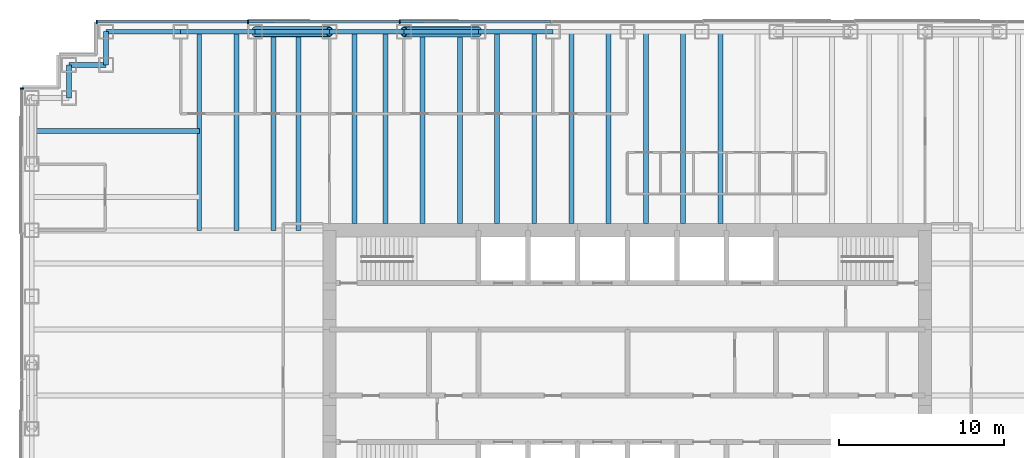
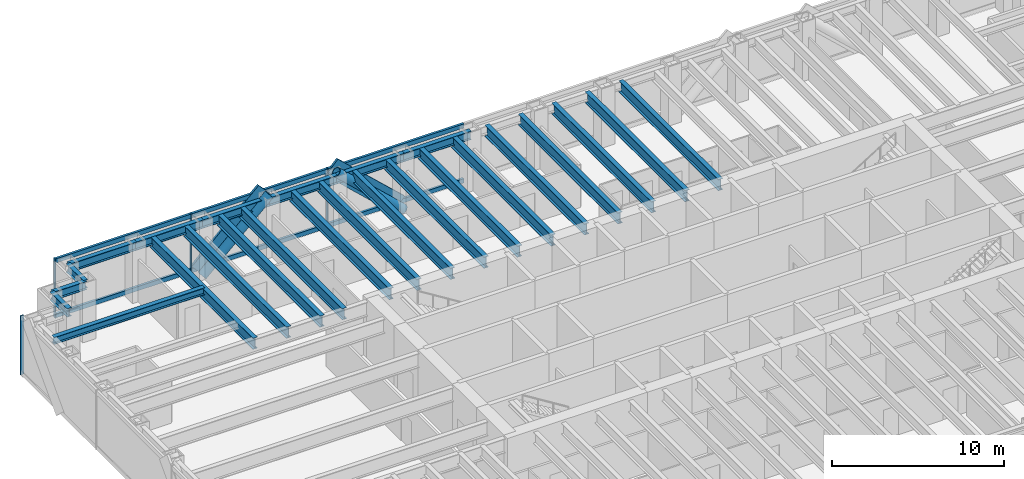
# One storey, part 5 of 14: 25 beams, 14 members, 2 elements without a shape of their own.
"""IFC4 building model written with IfcOpenShell, lengths in metres."""

from ifc_helpers import new_model, si_unit, direction, frame, origin, origin_2d, place, context, subcontext, project, spatial, rectangle, hollow_circle, i_section, extrude, material, material_profile, profile_set, type_object, element, aggregate, save


model = new_model("IFC4")

# Units and contexts
model_context = context("Model", 3, precision=1e-05, world=origin(), true_north=direction((0.0, 1.0)))
body_context = subcontext(model_context, "Body", "Model", "MODEL_VIEW")
ifc_project = project(units=[si_unit("LENGTHUNIT", "METRE"), si_unit("AREAUNIT", "SQUARE_METRE"), si_unit("VOLUMEUNIT", "CUBIC_METRE"), si_unit("PLANEANGLEUNIT", "RADIAN"), si_unit("MASSUNIT", "GRAM", prefix="KILO")], contexts=[model_context])

# Site, building, storey
site_placement = place(None, origin())
site = spatial("IfcSite", under=ifc_project, at=site_placement, CompositionType="ELEMENT")
building_placement = place(site_placement, origin())
building = spatial("IfcBuilding", under=site, at=building_placement, Name="Rheinbord Bourse Tower", CompositionType="ELEMENT")
storey_placement = place(building_placement, frame((0.0, 0.0, 253.0)))
storey = spatial("IfcBuildingStorey", under=building, at=storey_placement, Name="L57", CompositionType="ELEMENT", Elevation=253.0)

# Curtain wall, members
ifc_material_1 = material(Name="Dark glass and black aluminium", Category="aluminium")
curtain_wall_type = type_object("IfcCurtainWallType", Name="CW2 DARK GLASS CURTAIN WALL", PredefinedType="USERDEFINED", material=ifc_material_1)
curtain_wall_1_placement = place(storey_placement, origin())
curtain_wall_1 = element("IfcCurtainWall", 1, at=curtain_wall_1_placement, inside=storey, type_object=curtain_wall_type, Name="Curtain wall CW2 N L57", ObjectType="UNITISED CURTAIN WALL", PredefinedType="USERDEFINED")
ifc_material_2 = material(Name="Black anodised aluminium", Category="aluminium")
ifc_material_profile_1 = material_profile(ifc_material_2, rectangle(XDim=0.159912109375, YDim=1.2099609375, at=origin_2d()), Name="CW2 DIAGONAL MULLION 1210x160")
ifc_profile_set_1 = profile_set([ifc_material_profile_1], Name="Black anodised aluminium")
member_type_1 = type_object("IfcMemberType", Name="CW2 BLACK DIAGONAL MULLION", PredefinedType="USERDEFINED", material=ifc_profile_set_1)
member_1_placement = place(storey_placement, frame((13.5, 44.60009765625, 0.0), z_axis=(0.73105922506, 0.0, 0.682314010889), x_axis=(0.0, 1.0, 0.0)))
member_1 = element("IfcMember", 2, at=member_1_placement, type_object=member_type_1, Name="CW2 diagonal mullion a", ObjectType="DIAGONAL MULLION", PredefinedType="USERDEFINED", context=body_context, shape_type="SweptSolid", body=[
    extrude(rectangle(XDim=0.159912109375, YDim=1.2099609375, at=origin_2d()), origin(), (0.0, 0.0, 1.0), 6.155517578125),
])
member_2_placement = place(storey_placement, frame((27.0, 44.60009765625, 0.0), z_axis=(-0.73105922506, 0.0, 0.682314010889), x_axis=(0.0, -1.0, 0.0)))
member_2 = element("IfcMember", 3, at=member_2_placement, type_object=member_type_1, Name="CW2 diagonal mullion d", ObjectType="DIAGONAL MULLION", PredefinedType="USERDEFINED", context=body_context, shape_type="SweptSolid", body=[
    extrude(rectangle(XDim=0.159912109375, YDim=1.2099609375, at=origin_2d()), origin(), (0.0, 0.0, 1.0), 6.155517578125),
])
ifc_material_3 = material(Name="Black anodised aluminium", Category="aluminium")
ifc_material_profile_2 = material_profile(ifc_material_3, rectangle(XDim=0.219970703125, YDim=0.070068359375, at=origin_2d()), Name="CW2 MULLION 70x220")
ifc_profile_set_2 = profile_set([ifc_material_profile_2], Name="Black anodised aluminium")
member_type_2 = type_object("IfcMemberType", Name="CW2 BLACK MULLION", PredefinedType="MULLION", material=ifc_profile_set_2)
member_3_placement = place(storey_placement, frame((22.242919921875, 44.60009765625, 0.0), z_axis=(0.0, 0.0, 1.0), x_axis=(0.0, -1.0, 0.0)))
member_3 = element("IfcMember", 4, at=member_3_placement, type_object=member_type_2, Name="CW2 mullion 6", PredefinedType="MULLION", context=body_context, shape_type="SweptSolid", body=[
    extrude(rectangle(XDim=0.219970703125, YDim=0.070068359375, at=origin_2d()), origin(), (0.0, 0.0, 1.0), 4.199951171875),
])
member_4_placement = place(storey_placement, frame((13.071533203125, 44.60009765625, 0.0), z_axis=(0.0, 0.0, 1.0), x_axis=(0.0, -1.0, 0.0)))
member_4 = element("IfcMember", 5, at=member_4_placement, type_object=member_type_2, Name="CW2 mullion 7", PredefinedType="MULLION", context=body_context, shape_type="SweptSolid", body=[
    extrude(rectangle(XDim=0.219970703125, YDim=0.070068359375, at=origin_2d()), origin(), (0.0, 0.0, 1.0), 4.199951171875),
])
member_5_placement = place(storey_placement, frame((3.93505859375, 44.60009765625, 0.0), z_axis=(0.0, 0.0, 1.0), x_axis=(0.0, -1.0, 0.0)))
member_5 = element("IfcMember", 6, at=member_5_placement, type_object=member_type_2, Name="CW2 mullion 8", PredefinedType="MULLION", context=body_context, shape_type="SweptSolid", body=[
    extrude(rectangle(XDim=0.219970703125, YDim=0.070068359375, at=origin_2d()), origin(), (0.0, 0.0, 1.0), 4.199951171875),
])

# Curtain wall, member
curtain_wall_2_placement = place(storey_placement, origin())
curtain_wall_2 = element("IfcCurtainWall", 7, at=curtain_wall_2_placement, inside=storey, type_object=curtain_wall_type, Name="Curtain wall CW2 W L57", ObjectType="UNITISED CURTAIN WALL", PredefinedType="USERDEFINED")
member_6_placement = place(storey_placement, frame((-0.60009765625, 40.56494140625, 0.0), z_axis=(0.0, 0.0, 1.0), x_axis=(1.0, 0.0, 0.0)))
member_6 = element("IfcMember", 8, at=member_6_placement, type_object=member_type_2, Name="CW2 mullion 1", PredefinedType="MULLION", context=body_context, shape_type="SweptSolid", body=[
    extrude(rectangle(XDim=0.219970703125, YDim=0.070068359375, at=origin_2d()), origin(), (0.0, 0.0, 1.0), 4.199951171875),
])
aggregate(curtain_wall_2, [member_6])

# Member
ifc_material_4 = material(Name="Black anodised aluminium", Category="aluminium")
ifc_material_profile_3 = material_profile(ifc_material_4, rectangle(XDim=0.159912109375, YDim=0.300048828125, at=origin_2d()), Name="CW2 TRANSOM 300x160")
ifc_profile_set_3 = profile_set([ifc_material_profile_3], Name="Black anodised aluminium")
member_type_3 = type_object("IfcMemberType", Name="CW2 BLACK TRANSOM", PredefinedType="USERDEFINED", material=ifc_profile_set_3)
member_7_placement = place(storey_placement, frame((31.37939453125, 44.60009765625, 0.14990234375), z_axis=(-1.0, 0.0, 0.0), x_axis=(0.0, -1.0, 0.0)))
member_7 = element("IfcMember", 9, at=member_7_placement, type_object=member_type_3, Name="CW2 transom 5.1", ObjectType="TRANSOM", PredefinedType="USERDEFINED", context=body_context, shape_type="SweptSolid", body=[
    extrude(rectangle(XDim=0.159912109375, YDim=0.300048828125, at=origin_2d()), origin(), (0.0, 0.0, 1.0), 9.1015625),
])

member_8_placement = place(storey_placement, frame((31.37939453125, 44.60009765625, 4.050048828125), z_axis=(-1.0, 0.0, 0.0), x_axis=(0.0, -1.0, 0.0)))
member_8 = element("IfcMember", 10, at=member_8_placement, type_object=member_type_3, Name="CW2 transom 5.2", ObjectType="TRANSOM", PredefinedType="USERDEFINED", context=body_context, shape_type="SweptSolid", body=[
    extrude(rectangle(XDim=0.159912109375, YDim=0.300048828125, at=origin_2d()), origin(), (0.0, 0.0, 1.0), 9.1015625),
])

member_9_placement = place(storey_placement, frame((22.207763671875, 44.60009765625, 0.14990234375), z_axis=(-1.0, 0.0, 0.0), x_axis=(0.0, -1.0, 0.0)))
member_9 = element("IfcMember", 11, at=member_9_placement, type_object=member_type_3, Name="CW2 transom 6.1", ObjectType="TRANSOM", PredefinedType="USERDEFINED", context=body_context, shape_type="SweptSolid", body=[
    extrude(rectangle(XDim=0.159912109375, YDim=0.300048828125, at=origin_2d()), origin(), (0.0, 0.0, 1.0), 9.101318359375),
])

member_10_placement = place(storey_placement, frame((22.207763671875, 44.60009765625, 4.050048828125), z_axis=(-1.0, 0.0, 0.0), x_axis=(0.0, -1.0, 0.0)))
member_10 = element("IfcMember", 12, at=member_10_placement, type_object=member_type_3, Name="CW2 transom 6.2", ObjectType="TRANSOM", PredefinedType="USERDEFINED", context=body_context, shape_type="SweptSolid", body=[
    extrude(rectangle(XDim=0.159912109375, YDim=0.300048828125, at=origin_2d()), origin(), (0.0, 0.0, 1.0), 9.101318359375),
])

member_11_placement = place(storey_placement, frame((13.036376953125, 44.60009765625, 0.14990234375), z_axis=(-1.0, 0.0, 0.0), x_axis=(0.0, -1.0, 0.0)))
member_11 = element("IfcMember", 13, at=member_11_placement, type_object=member_type_3, Name="CW2 transom 7.1", ObjectType="TRANSOM", PredefinedType="USERDEFINED", context=body_context, shape_type="SweptSolid", body=[
    extrude(rectangle(XDim=0.159912109375, YDim=0.300048828125, at=origin_2d()), origin(), (0.0, 0.0, 1.0), 9.06640625),
])

member_12_placement = place(storey_placement, frame((13.036376953125, 44.60009765625, 4.050048828125), z_axis=(-1.0, 0.0, 0.0), x_axis=(0.0, -1.0, 0.0)))
member_12 = element("IfcMember", 14, at=member_12_placement, type_object=member_type_3, Name="CW2 transom 7.2", ObjectType="TRANSOM", PredefinedType="USERDEFINED", context=body_context, shape_type="SweptSolid", body=[
    extrude(rectangle(XDim=0.159912109375, YDim=0.300048828125, at=origin_2d()), origin(), (0.0, 0.0, 1.0), 9.06640625),
])

aggregate(curtain_wall_1, [member_3, member_4, member_5, member_7, member_8, member_9, member_10, member_11, member_12, member_1, member_2])

# Beams
ifc_material_5 = material(Name="Steel S460", Category="steel")
ifc_material_profile_4 = material_profile(ifc_material_5, i_section(OverallWidth=0.300048828125, OverallDepth=0.800048828125, WebThickness=0.017578125, FlangeThickness=0.032958984375, at=origin_2d()), Name="HEB 800")
ifc_profile_set_4 = profile_set([ifc_material_profile_4], Name="Steel S460")
beam_type_1 = type_object("IfcBeamType", Name="FLOOR BEAM HEB 800", PredefinedType="BEAM", material=ifc_profile_set_4)
for number, where, z_axis, x_axis, name in (
    (15, (10.125, 44.0, 3.639892578125), (0.0, -1.0, 0.0), (1.0, 0.0, 0.0), "Floor beam N-9a L58"),
    (16, (12.375, 44.0, 3.639892578125), (0.0, -1.0, 0.0), (1.0, 0.0, 0.0), "Floor beam N-9b L58"),
    (17, (14.625, 44.0, 3.639892578125), (0.0, -1.0, 0.0), (1.0, 0.0, 0.0), "Floor beam N-13.5a L58"),
    (18, (16.125, 44.0, 3.639892578125), (0.0, -1.0, 0.0), (1.0, 0.0, 0.0), "Floor beam N-13.5b L58"),
):
    element("IfcBeam", number, at=place(storey_placement, frame(where, z_axis=z_axis, x_axis=x_axis)), inside=storey, type_object=beam_type_1, Name=name, PredefinedType="BEAM", context=body_context, shape_type="SweptSolid", body=[
        extrude(i_section(OverallWidth=0.300048828125, OverallDepth=0.800048828125, WebThickness=0.017578125, FlangeThickness=0.032958984375, at=origin_2d()), origin(), (0.0, 0.0, 1.0), 12.0),
    ])
for number, where, z_axis, x_axis, name in (
    (19, (19.5, 44.0, 3.639892578125), (0.0, -1.0, 0.0), (1.0, 0.0, 0.0), "Floor beam N-18a L58"),
    (20, (21.375, 44.0, 3.639892578125), (0.0, -1.0, 0.0), (1.0, 0.0, 0.0), "Floor beam N-18b L58"),
    (21, (23.625, 44.0, 3.639892578125), (0.0, -1.0, 0.0), (1.0, 0.0, 0.0), "Floor beam N-22.5a L58"),
    (22, (25.875, 44.0, 3.639892578125), (0.0, -1.0, 0.0), (1.0, 0.0, 0.0), "Floor beam N-22.5b L58"),
    (23, (28.125, 44.0, 3.639892578125), (0.0, -1.0, 0.0), (1.0, 0.0, 0.0), "Floor beam N-27a L58"),
    (24, (30.375, 44.0, 3.639892578125), (0.0, -1.0, 0.0), (1.0, 0.0, 0.0), "Floor beam N-27b L58"),
    (25, (32.625, 44.0, 3.639892578125), (0.0, -1.0, 0.0), (1.0, 0.0, 0.0), "Floor beam N-31.5a L58"),
    (26, (34.875, 44.0, 3.639892578125), (0.0, -1.0, 0.0), (1.0, 0.0, 0.0), "Floor beam N-31.5b L58"),
    (27, (37.125, 44.0, 3.639892578125), (0.0, -1.0, 0.0), (1.0, 0.0, 0.0), "Floor beam N-36a L58"),
    (28, (39.375, 44.0, 3.639892578125), (0.0, -1.0, 0.0), (1.0, 0.0, 0.0), "Floor beam N-36b L58"),
    (29, (41.625, 44.0, 3.639892578125), (0.0, -1.0, 0.0), (1.0, 0.0, 0.0), "Floor beam N-40.5a L58"),
):
    element("IfcBeam", number, at=place(storey_placement, frame(where, z_axis=z_axis, x_axis=x_axis)), inside=storey, type_object=beam_type_1, Name=name, PredefinedType="BEAM", context=body_context, shape_type="SweptSolid", body=[
        extrude(i_section(OverallWidth=0.300048828125, OverallDepth=0.800048828125, WebThickness=0.017578125, FlangeThickness=0.032958984375, at=origin_2d()), origin(), (0.0, 0.0, 1.0), 11.60009765625),
    ])

# Members
ifc_material_6 = material(Name="Steel S460", Category="steel")
ifc_material_profile_5 = material_profile(ifc_material_6, hollow_circle(Radius=0.304931640625, WallThickness=0.0400390625, at=origin_2d()), Name="CHS 610x40")
ifc_profile_set_5 = profile_set([ifc_material_profile_5], Name="Steel S460")
member_type_4 = type_object("IfcMemberType", Name="MEGABRACE CHS 610x40", PredefinedType="BRACE", material=ifc_profile_set_5)
for number, where, z_axis, x_axis, name in (
    (30, (13.5, 44.0, 0.0), (0.73105922506, 0.0, 0.682314010889), (0.0, 1.0, 0.0), "Megabrace N face line a L57"),
    (31, (27.0, 44.0, 0.0), (-0.73105922506, 0.0, 0.682314010889), (0.0, -1.0, 0.0), "Megabrace N face line d L57"),
):
    element("IfcMember", number, at=place(storey_placement, frame(where, z_axis=z_axis, x_axis=x_axis)), inside=storey, type_object=member_type_4, Name=name, PredefinedType="BRACE", context=body_context, shape_type="SweptSolid", body=[
        extrude(hollow_circle(Radius=0.304931640625, WallThickness=0.0400390625, at=origin_2d()), origin(), (0.0, 0.0, 1.0), 6.155517578125),
    ])

# Beams
ifc_material_7 = material(Name="Steel S460", Category="steel")
ifc_material_profile_6 = material_profile(ifc_material_7, i_section(OverallWidth=0.300048828125, OverallDepth=0.60009765625, WebThickness=0.015380859375, FlangeThickness=0.030029296875, at=origin_2d()), Name="HEB 600")
ifc_profile_set_6 = profile_set([ifc_material_profile_6], Name="Steel S460")
beam_type_2 = type_object("IfcBeamType", Name="SPANDREL HEB 600", PredefinedType="SPANDREL", material=ifc_profile_set_6)
for number, where, z_axis, x_axis, name in (
    (32, (31.5, 44.0, 3.739990234375), (-1.0, 0.0, 0.0), (0.0, -1.0, 0.0), "Spandrel N-31.5-N-27 under L58"),
    (33, (27.0, 44.0, 3.739990234375), (-1.0, 0.0, 0.0), (0.0, -1.0, 0.0), "Spandrel N-27-N-22.5 under L58"),
    (34, (22.5, 44.0, 3.739990234375), (-1.0, 0.0, 0.0), (0.0, -1.0, 0.0), "Spandrel N-22.5-N-18 under L58"),
    (35, (18.0, 44.0, 3.739990234375), (-1.0, 0.0, 0.0), (0.0, -1.0, 0.0), "Spandrel N-18-N-13.5 under L58"),
    (36, (13.5, 44.0, 3.739990234375), (-1.0, 0.0, 0.0), (0.0, -1.0, 0.0), "Spandrel N-13.5-N-9 under L58"),
    (37, (9.0, 44.0, 3.739990234375), (-1.0, 0.0, 0.0), (0.0, -1.0, 0.0), "Spandrel N-9-NW-E under L58"),
):
    element("IfcBeam", number, at=place(storey_placement, frame(where, z_axis=z_axis, x_axis=x_axis)), inside=storey, type_object=beam_type_2, Name=name, PredefinedType="SPANDREL", context=body_context, shape_type="SweptSolid", body=[
        extrude(i_section(OverallWidth=0.300048828125, OverallDepth=0.60009765625, WebThickness=0.015380859375, FlangeThickness=0.030029296875, at=origin_2d()), origin(), (0.0, 0.0, 1.0), 4.5),
    ])
beam_1_placement = place(storey_placement, frame((4.5, 44.0, 3.739990234375), z_axis=(0.0, -1.0, 0.0), x_axis=(1.0, 0.0, 0.0)))
element("IfcBeam", 38, at=beam_1_placement, inside=storey, type_object=beam_type_2, Name="Spandrel NW-E-NW-D under L58", PredefinedType="SPANDREL", context=body_context, shape_type="SweptSolid", body=[
    extrude(i_section(OverallWidth=0.300048828125, OverallDepth=0.60009765625, WebThickness=0.015380859375, FlangeThickness=0.030029296875, at=origin_2d()), origin(), (0.0, 0.0, 1.0), 2.0),
])
beam_2_placement = place(storey_placement, frame((4.5, 42.0, 3.739990234375), z_axis=(-1.0, 0.0, 0.0), x_axis=(0.0, -1.0, 0.0)))
element("IfcBeam", 39, at=beam_2_placement, inside=storey, type_object=beam_type_2, Name="Spandrel NW-D-NW-C under L58", PredefinedType="SPANDREL", context=body_context, shape_type="SweptSolid", body=[
    extrude(i_section(OverallWidth=0.300048828125, OverallDepth=0.60009765625, WebThickness=0.015380859375, FlangeThickness=0.030029296875, at=origin_2d()), origin(), (0.0, 0.0, 1.0), 2.25),
])
beam_3_placement = place(storey_placement, frame((2.25, 42.0, 3.739990234375), z_axis=(0.0, -1.0, 0.0), x_axis=(1.0, 0.0, 0.0)))
element("IfcBeam", 40, at=beam_3_placement, inside=storey, type_object=beam_type_2, Name="Spandrel NW-C-NW-B under L58", PredefinedType="SPANDREL", context=body_context, shape_type="SweptSolid", body=[
    extrude(i_section(OverallWidth=0.300048828125, OverallDepth=0.60009765625, WebThickness=0.015380859375, FlangeThickness=0.030029296875, at=origin_2d()), origin(), (0.0, 0.0, 1.0), 2.0),
])
ifc_material_8 = material(Name="Steel S460", Category="steel")
ifc_material_profile_7 = material_profile(ifc_material_8, i_section(OverallWidth=0.300048828125, OverallDepth=0.5, WebThickness=0.014404296875, FlangeThickness=0.028076171875, at=origin_2d()), Name="HEB 500")
ifc_profile_set_7 = profile_set([ifc_material_profile_7], Name="Steel S460")
beam_type_3 = type_object("IfcBeamType", Name="TIE BEAM HEB 500", PredefinedType="JOIST", material=ifc_profile_set_7)
beam_4_placement = place(storey_placement, frame((0.0, 38.0, 3.7900390625), z_axis=(1.0, 0.0, 0.0), x_axis=(0.0, 1.0, 0.0)))
element("IfcBeam", 41, at=beam_4_placement, inside=storey, type_object=beam_type_3, Name="Tie west 38 L58", PredefinedType="JOIST", context=body_context, shape_type="SweptSolid", body=[
    extrude(i_section(OverallWidth=0.300048828125, OverallDepth=0.5, WebThickness=0.014404296875, FlangeThickness=0.028076171875, at=origin_2d()), origin(), (0.0, 0.0, 1.0), 10.125),
])

save(model, "model.ifc")
